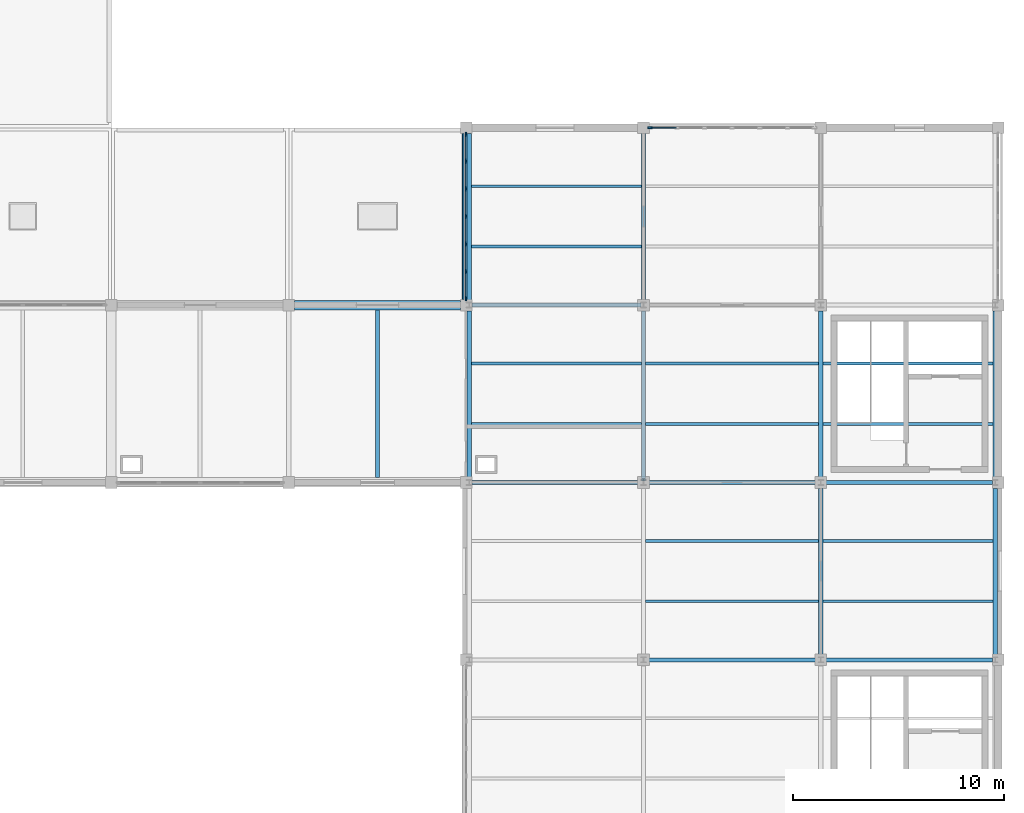
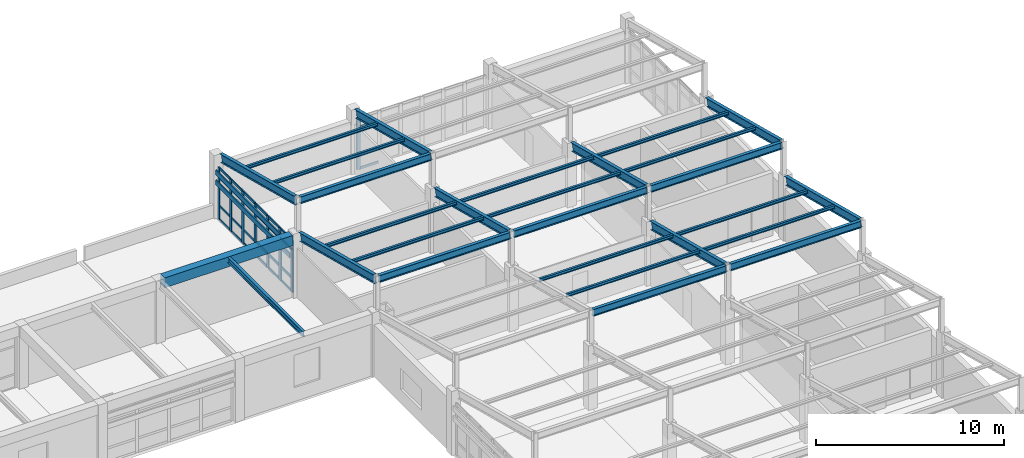
# One storey, part 42 of 74: 49 members, 16 beams, 2 elements without a shape of their own.
"""IFC4 building model written with IfcOpenShell, lengths in metres."""

from ifc_helpers import new_model, si_unit, direction, frame, origin, origin_2d, place, context, subcontext, project, spatial, rectangle, i_section, extrude, material, layer, layer_set, material_profile, profile_set, type_object, element, aggregate, save


model = new_model("IFC4")

# Units and contexts
model_context = context("Model", 3, precision=1e-05, world=origin(), true_north=direction((0.0, 1.0)))
body_context = subcontext(model_context, "Body", "Model", "MODEL_VIEW")
ifc_project = project(units=[si_unit("LENGTHUNIT", "METRE"), si_unit("AREAUNIT", "SQUARE_METRE"), si_unit("VOLUMEUNIT", "CUBIC_METRE"), si_unit("PLANEANGLEUNIT", "RADIAN"), si_unit("MASSUNIT", "GRAM", prefix="KILO")], contexts=[model_context])

# Site, building, storey
site_placement = place(None, origin())
site = spatial("IfcSite", under=ifc_project, at=site_placement, CompositionType="ELEMENT")
building_placement = place(site_placement, origin())
building = spatial("IfcBuilding", under=site, at=building_placement, Name="Porcellanite Civic Hall", CompositionType="ELEMENT")
storey_placement = place(building_placement, frame((0.0, 0.0, 14.760009765625)))
storey = spatial("IfcBuildingStorey", under=building, at=storey_placement, Name="L03", CompositionType="ELEMENT", Elevation=14.760009765625)

# Beam
ifc_material_1 = material(Name="Concrete N50 (50 MPa)", Category="concrete")
ifc_material_profile_1 = material_profile(ifc_material_1, rectangle(XDim=0.449951171875, YDim=0.64990234375, at=origin_2d()), Name="RC-450x650")
ifc_profile_set_1 = profile_set([ifc_material_profile_1], Name="Concrete N50 (50 MPa)")
beam_type_1 = type_object("IfcBeamType", Name="BM-RC650", PredefinedType="SPANDREL", material=ifc_profile_set_1)
beam_1_placement = place(storey_placement, frame((134.674560546875, 58.800048828125, 3.744873046875), z_axis=(1.0, 0.0, 0.0), x_axis=(0.0, 1.0, 0.0)))
element("IfcBeam", 1, at=beam_1_placement, inside=storey, type_object=beam_type_1, Name="Beam X L03 17-8", PredefinedType="SPANDREL", context=body_context, shape_type="SweptSolid", body=[
    extrude(rectangle(XDim=0.449951171875, YDim=0.64990234375, at=origin_2d()), origin(), (0.0, 0.0, 1.0), 7.850830078125),
])

# Curtain wall, members
ifc_material_2 = material(Name="Anodised aluminium and solar laminated glass", Category="aluminium")
ifc_layer = layer(ifc_material_2, 0.179931640625)
ifc_layer_set = layer_set([ifc_layer], Name="Anodised aluminium and solar laminated glass")
curtain_wall_type = type_object("IfcCurtainWallType", Name="CW-SYS02", PredefinedType="NOTDEFINED", material=ifc_layer_set)
curtain_wall_1_placement = place(storey_placement, origin())
curtain_wall_1 = element("IfcCurtainWall", 2, at=curtain_wall_1_placement, inside=storey, type_object=curtain_wall_type, Name="Curtain wall CW-223", PredefinedType="NOTDEFINED")
ifc_material_3 = material(Name="Anodised aluminium 6063-T6", Category="aluminium")
ifc_material_profile_2 = material_profile(ifc_material_3, rectangle(XDim=0.074951171875, YDim=0.219970703125, at=origin_2d()), Name="AL-75x220")
ifc_profile_set_2 = profile_set([ifc_material_profile_2], Name="Anodised aluminium 6063-T6")
member_type_1 = type_object("IfcMemberType", Name="CWM-03", PredefinedType="MULLION", material=ifc_profile_set_2)
member_1_placement = place(storey_placement, frame((142.800048828125, 59.113525390625, 0.0), z_axis=(0.0, 0.0, 1.0), x_axis=(-1.0, 0.0, 0.0)))
member_1 = element("IfcMember", 3, at=member_1_placement, type_object=member_type_1, Name="CW-223 mullion 1", PredefinedType="MULLION", context=body_context, shape_type="SweptSolid", body=[
    extrude(rectangle(XDim=0.074951171875, YDim=0.219970703125, at=origin_2d()), origin(), (0.0, 0.0, 1.0), 3.369873046875),
])
member_2_placement = place(storey_placement, frame((142.800048828125, 60.384033203125, 0.0), z_axis=(0.0, 0.0, 1.0), x_axis=(-1.0, 0.0, 0.0)))
member_2 = element("IfcMember", 4, at=member_2_placement, type_object=member_type_1, Name="CW-223 mullion 2", PredefinedType="MULLION", context=body_context, shape_type="SweptSolid", body=[
    extrude(rectangle(XDim=0.074951171875, YDim=0.219970703125, at=origin_2d()), origin(), (0.0, 0.0, 1.0), 3.369873046875),
])
member_3_placement = place(storey_placement, frame((142.800048828125, 61.69189453125, 0.0), z_axis=(0.0, 0.0, 1.0), x_axis=(-1.0, 0.0, 0.0)))
member_3 = element("IfcMember", 5, at=member_3_placement, type_object=member_type_1, Name="CW-223 mullion 3", PredefinedType="MULLION", context=body_context, shape_type="SweptSolid", body=[
    extrude(rectangle(XDim=0.074951171875, YDim=0.219970703125, at=origin_2d()), origin(), (0.0, 0.0, 1.0), 3.369873046875),
])
member_4_placement = place(storey_placement, frame((142.800048828125, 63.0, 0.0), z_axis=(0.0, 0.0, 1.0), x_axis=(-1.0, 0.0, 0.0)))
member_4 = element("IfcMember", 6, at=member_4_placement, type_object=member_type_1, Name="CW-223 mullion 4", PredefinedType="MULLION", context=body_context, shape_type="SweptSolid", body=[
    extrude(rectangle(XDim=0.074951171875, YDim=0.219970703125, at=origin_2d()), origin(), (0.0, 0.0, 1.0), 3.369873046875),
])
member_5_placement = place(storey_placement, frame((142.800048828125, 64.30810546875, 0.0), z_axis=(0.0, 0.0, 1.0), x_axis=(-1.0, 0.0, 0.0)))
member_5 = element("IfcMember", 7, at=member_5_placement, type_object=member_type_1, Name="CW-223 mullion 5", PredefinedType="MULLION", context=body_context, shape_type="SweptSolid", body=[
    extrude(rectangle(XDim=0.074951171875, YDim=0.219970703125, at=origin_2d()), origin(), (0.0, 0.0, 1.0), 3.369873046875),
])
member_6_placement = place(storey_placement, frame((142.800048828125, 65.615966796875, 0.0), z_axis=(0.0, 0.0, 1.0), x_axis=(-1.0, 0.0, 0.0)))
member_6 = element("IfcMember", 8, at=member_6_placement, type_object=member_type_1, Name="CW-223 mullion 6", PredefinedType="MULLION", context=body_context, shape_type="SweptSolid", body=[
    extrude(rectangle(XDim=0.074951171875, YDim=0.219970703125, at=origin_2d()), origin(), (0.0, 0.0, 1.0), 3.369873046875),
])
member_7_placement = place(storey_placement, frame((142.800048828125, 66.886474609375, 0.0), z_axis=(0.0, 0.0, 1.0), x_axis=(-1.0, 0.0, 0.0)))
member_7 = element("IfcMember", 9, at=member_7_placement, type_object=member_type_1, Name="CW-223 mullion 7", PredefinedType="MULLION", context=body_context, shape_type="SweptSolid", body=[
    extrude(rectangle(XDim=0.074951171875, YDim=0.219970703125, at=origin_2d()), origin(), (0.0, 0.0, 1.0), 3.369873046875),
])

# Curtain wall, member
curtain_wall_2_placement = place(storey_placement, origin())
curtain_wall_2 = element("IfcCurtainWall", 10, at=curtain_wall_2_placement, inside=storey, type_object=curtain_wall_type, Name="Curtain wall CW-227", PredefinedType="NOTDEFINED")
member_8_placement = place(storey_placement, frame((151.513427734375, 67.199951171875, 0.0), z_axis=(0.0, 0.0, 1.0), x_axis=(0.0, 1.0, 0.0)))
member_8 = element("IfcMember", 11, at=member_8_placement, type_object=member_type_1, Name="CW-227 mullion 1", PredefinedType="MULLION", context=body_context, shape_type="SweptSolid", body=[
    extrude(rectangle(XDim=0.074951171875, YDim=0.219970703125, at=origin_2d()), origin(), (0.0, 0.0, 1.0), 3.369873046875),
])

# Member
ifc_material_4 = material(Name="Anodised aluminium 6063-T6", Category="aluminium")
ifc_material_profile_3 = material_profile(ifc_material_4, rectangle(XDim=0.06494140625, YDim=0.14990234375, at=origin_2d()), Name="AL-65x150")
ifc_profile_set_3 = profile_set([ifc_material_profile_3], Name="Anodised aluminium 6063-T6")
member_type_2 = type_object("IfcMemberType", Name="CWT-02", PredefinedType="USERDEFINED", material=ifc_profile_set_3)
member_9_placement = place(storey_placement, frame((142.800048828125, 59.15087890625, 0.032470703125), z_axis=(0.0, 1.0, 0.0), x_axis=(-1.0, 0.0, 0.0)))
member_9 = element("IfcMember", 12, at=member_9_placement, type_object=member_type_2, Name="CW-223 transom 1.1", ObjectType="TRANSOM", PredefinedType="USERDEFINED", context=body_context, shape_type="SweptSolid", body=[
    extrude(rectangle(XDim=0.06494140625, YDim=0.14990234375, at=origin_2d()), origin(), (0.0, 0.0, 1.0), 1.195556640625),
])

member_10_placement = place(storey_placement, frame((142.800048828125, 59.15087890625, 0.89990234375), z_axis=(0.0, 1.0, 0.0), x_axis=(-1.0, 0.0, 0.0)))
member_10 = element("IfcMember", 13, at=member_10_placement, type_object=member_type_2, Name="CW-223 transom 1.2", ObjectType="TRANSOM", PredefinedType="USERDEFINED", context=body_context, shape_type="SweptSolid", body=[
    extrude(rectangle(XDim=0.06494140625, YDim=0.14990234375, at=origin_2d()), origin(), (0.0, 0.0, 1.0), 1.195556640625),
])

member_11_placement = place(storey_placement, frame((142.800048828125, 59.15087890625, 2.719970703125), z_axis=(0.0, 1.0, 0.0), x_axis=(-1.0, 0.0, 0.0)))
member_11 = element("IfcMember", 14, at=member_11_placement, type_object=member_type_2, Name="CW-223 transom 1.3", ObjectType="TRANSOM", PredefinedType="USERDEFINED", context=body_context, shape_type="SweptSolid", body=[
    extrude(rectangle(XDim=0.06494140625, YDim=0.14990234375, at=origin_2d()), origin(), (0.0, 0.0, 1.0), 1.195556640625),
])

member_12_placement = place(storey_placement, frame((142.800048828125, 59.15087890625, 3.33740234375), z_axis=(0.0, 1.0, 0.0), x_axis=(-1.0, 0.0, 0.0)))
member_12 = element("IfcMember", 15, at=member_12_placement, type_object=member_type_2, Name="CW-223 transom 1.4", ObjectType="TRANSOM", PredefinedType="USERDEFINED", context=body_context, shape_type="SweptSolid", body=[
    extrude(rectangle(XDim=0.06494140625, YDim=0.14990234375, at=origin_2d()), origin(), (0.0, 0.0, 1.0), 1.195556640625),
])

member_13_placement = place(storey_placement, frame((142.800048828125, 60.42138671875, 0.032470703125), z_axis=(0.0, 1.0, 0.0), x_axis=(-1.0, 0.0, 0.0)))
member_13 = element("IfcMember", 16, at=member_13_placement, type_object=member_type_2, Name="CW-223 transom 2.1", ObjectType="TRANSOM", PredefinedType="USERDEFINED", context=body_context, shape_type="SweptSolid", body=[
    extrude(rectangle(XDim=0.06494140625, YDim=0.14990234375, at=origin_2d()), origin(), (0.0, 0.0, 1.0), 1.233154296875),
])

member_14_placement = place(storey_placement, frame((142.800048828125, 60.42138671875, 0.89990234375), z_axis=(0.0, 1.0, 0.0), x_axis=(-1.0, 0.0, 0.0)))
member_14 = element("IfcMember", 17, at=member_14_placement, type_object=member_type_2, Name="CW-223 transom 2.2", ObjectType="TRANSOM", PredefinedType="USERDEFINED", context=body_context, shape_type="SweptSolid", body=[
    extrude(rectangle(XDim=0.06494140625, YDim=0.14990234375, at=origin_2d()), origin(), (0.0, 0.0, 1.0), 1.233154296875),
])

member_15_placement = place(storey_placement, frame((142.800048828125, 60.42138671875, 2.719970703125), z_axis=(0.0, 1.0, 0.0), x_axis=(-1.0, 0.0, 0.0)))
member_15 = element("IfcMember", 18, at=member_15_placement, type_object=member_type_2, Name="CW-223 transom 2.3", ObjectType="TRANSOM", PredefinedType="USERDEFINED", context=body_context, shape_type="SweptSolid", body=[
    extrude(rectangle(XDim=0.06494140625, YDim=0.14990234375, at=origin_2d()), origin(), (0.0, 0.0, 1.0), 1.233154296875),
])

member_16_placement = place(storey_placement, frame((142.800048828125, 60.42138671875, 3.33740234375), z_axis=(0.0, 1.0, 0.0), x_axis=(-1.0, 0.0, 0.0)))
member_16 = element("IfcMember", 19, at=member_16_placement, type_object=member_type_2, Name="CW-223 transom 2.4", ObjectType="TRANSOM", PredefinedType="USERDEFINED", context=body_context, shape_type="SweptSolid", body=[
    extrude(rectangle(XDim=0.06494140625, YDim=0.14990234375, at=origin_2d()), origin(), (0.0, 0.0, 1.0), 1.233154296875),
])

member_17_placement = place(storey_placement, frame((142.800048828125, 61.7294921875, 0.032470703125), z_axis=(0.0, 1.0, 0.0), x_axis=(-1.0, 0.0, 0.0)))
member_17 = element("IfcMember", 20, at=member_17_placement, type_object=member_type_2, Name="CW-223 transom 3.1", ObjectType="TRANSOM", PredefinedType="USERDEFINED", context=body_context, shape_type="SweptSolid", body=[
    extrude(rectangle(XDim=0.06494140625, YDim=0.14990234375, at=origin_2d()), origin(), (0.0, 0.0, 1.0), 1.23291015625),
])

member_18_placement = place(storey_placement, frame((142.800048828125, 61.7294921875, 0.89990234375), z_axis=(0.0, 1.0, 0.0), x_axis=(-1.0, 0.0, 0.0)))
member_18 = element("IfcMember", 21, at=member_18_placement, type_object=member_type_2, Name="CW-223 transom 3.2", ObjectType="TRANSOM", PredefinedType="USERDEFINED", context=body_context, shape_type="SweptSolid", body=[
    extrude(rectangle(XDim=0.06494140625, YDim=0.14990234375, at=origin_2d()), origin(), (0.0, 0.0, 1.0), 1.23291015625),
])

member_19_placement = place(storey_placement, frame((142.800048828125, 61.7294921875, 2.719970703125), z_axis=(0.0, 1.0, 0.0), x_axis=(-1.0, 0.0, 0.0)))
member_19 = element("IfcMember", 22, at=member_19_placement, type_object=member_type_2, Name="CW-223 transom 3.3", ObjectType="TRANSOM", PredefinedType="USERDEFINED", context=body_context, shape_type="SweptSolid", body=[
    extrude(rectangle(XDim=0.06494140625, YDim=0.14990234375, at=origin_2d()), origin(), (0.0, 0.0, 1.0), 1.23291015625),
])

member_20_placement = place(storey_placement, frame((142.800048828125, 61.7294921875, 3.33740234375), z_axis=(0.0, 1.0, 0.0), x_axis=(-1.0, 0.0, 0.0)))
member_20 = element("IfcMember", 23, at=member_20_placement, type_object=member_type_2, Name="CW-223 transom 3.4", ObjectType="TRANSOM", PredefinedType="USERDEFINED", context=body_context, shape_type="SweptSolid", body=[
    extrude(rectangle(XDim=0.06494140625, YDim=0.14990234375, at=origin_2d()), origin(), (0.0, 0.0, 1.0), 1.23291015625),
])

member_21_placement = place(storey_placement, frame((142.800048828125, 63.03759765625, 0.032470703125), z_axis=(0.0, 1.0, 0.0), x_axis=(-1.0, 0.0, 0.0)))
member_21 = element("IfcMember", 24, at=member_21_placement, type_object=member_type_2, Name="CW-223 transom 4.1", ObjectType="TRANSOM", PredefinedType="USERDEFINED", context=body_context, shape_type="SweptSolid", body=[
    extrude(rectangle(XDim=0.06494140625, YDim=0.14990234375, at=origin_2d()), origin(), (0.0, 0.0, 1.0), 1.23291015625),
])

member_22_placement = place(storey_placement, frame((142.800048828125, 63.03759765625, 0.89990234375), z_axis=(0.0, 1.0, 0.0), x_axis=(-1.0, 0.0, 0.0)))
member_22 = element("IfcMember", 25, at=member_22_placement, type_object=member_type_2, Name="CW-223 transom 4.2", ObjectType="TRANSOM", PredefinedType="USERDEFINED", context=body_context, shape_type="SweptSolid", body=[
    extrude(rectangle(XDim=0.06494140625, YDim=0.14990234375, at=origin_2d()), origin(), (0.0, 0.0, 1.0), 1.23291015625),
])

member_23_placement = place(storey_placement, frame((142.800048828125, 63.03759765625, 2.719970703125), z_axis=(0.0, 1.0, 0.0), x_axis=(-1.0, 0.0, 0.0)))
member_23 = element("IfcMember", 26, at=member_23_placement, type_object=member_type_2, Name="CW-223 transom 4.3", ObjectType="TRANSOM", PredefinedType="USERDEFINED", context=body_context, shape_type="SweptSolid", body=[
    extrude(rectangle(XDim=0.06494140625, YDim=0.14990234375, at=origin_2d()), origin(), (0.0, 0.0, 1.0), 1.23291015625),
])

member_24_placement = place(storey_placement, frame((142.800048828125, 63.03759765625, 3.33740234375), z_axis=(0.0, 1.0, 0.0), x_axis=(-1.0, 0.0, 0.0)))
member_24 = element("IfcMember", 27, at=member_24_placement, type_object=member_type_2, Name="CW-223 transom 4.4", ObjectType="TRANSOM", PredefinedType="USERDEFINED", context=body_context, shape_type="SweptSolid", body=[
    extrude(rectangle(XDim=0.06494140625, YDim=0.14990234375, at=origin_2d()), origin(), (0.0, 0.0, 1.0), 1.23291015625),
])

member_25_placement = place(storey_placement, frame((142.800048828125, 64.345458984375, 0.032470703125), z_axis=(0.0, 1.0, 0.0), x_axis=(-1.0, 0.0, 0.0)))
member_25 = element("IfcMember", 28, at=member_25_placement, type_object=member_type_2, Name="CW-223 transom 5.1", ObjectType="TRANSOM", PredefinedType="USERDEFINED", context=body_context, shape_type="SweptSolid", body=[
    extrude(rectangle(XDim=0.06494140625, YDim=0.14990234375, at=origin_2d()), origin(), (0.0, 0.0, 1.0), 1.233154296875),
])

member_26_placement = place(storey_placement, frame((142.800048828125, 64.345458984375, 0.89990234375), z_axis=(0.0, 1.0, 0.0), x_axis=(-1.0, 0.0, 0.0)))
member_26 = element("IfcMember", 29, at=member_26_placement, type_object=member_type_2, Name="CW-223 transom 5.2", ObjectType="TRANSOM", PredefinedType="USERDEFINED", context=body_context, shape_type="SweptSolid", body=[
    extrude(rectangle(XDim=0.06494140625, YDim=0.14990234375, at=origin_2d()), origin(), (0.0, 0.0, 1.0), 1.233154296875),
])

member_27_placement = place(storey_placement, frame((142.800048828125, 64.345458984375, 2.719970703125), z_axis=(0.0, 1.0, 0.0), x_axis=(-1.0, 0.0, 0.0)))
member_27 = element("IfcMember", 30, at=member_27_placement, type_object=member_type_2, Name="CW-223 transom 5.3", ObjectType="TRANSOM", PredefinedType="USERDEFINED", context=body_context, shape_type="SweptSolid", body=[
    extrude(rectangle(XDim=0.06494140625, YDim=0.14990234375, at=origin_2d()), origin(), (0.0, 0.0, 1.0), 1.233154296875),
])

member_28_placement = place(storey_placement, frame((142.800048828125, 64.345458984375, 3.33740234375), z_axis=(0.0, 1.0, 0.0), x_axis=(-1.0, 0.0, 0.0)))
member_28 = element("IfcMember", 31, at=member_28_placement, type_object=member_type_2, Name="CW-223 transom 5.4", ObjectType="TRANSOM", PredefinedType="USERDEFINED", context=body_context, shape_type="SweptSolid", body=[
    extrude(rectangle(XDim=0.06494140625, YDim=0.14990234375, at=origin_2d()), origin(), (0.0, 0.0, 1.0), 1.233154296875),
])

member_29_placement = place(storey_placement, frame((142.800048828125, 65.653564453125, 0.032470703125), z_axis=(0.0, 1.0, 0.0), x_axis=(-1.0, 0.0, 0.0)))
member_29 = element("IfcMember", 32, at=member_29_placement, type_object=member_type_2, Name="CW-223 transom 6.1", ObjectType="TRANSOM", PredefinedType="USERDEFINED", context=body_context, shape_type="SweptSolid", body=[
    extrude(rectangle(XDim=0.06494140625, YDim=0.14990234375, at=origin_2d()), origin(), (0.0, 0.0, 1.0), 1.195556640625),
])

member_30_placement = place(storey_placement, frame((142.800048828125, 65.653564453125, 0.89990234375), z_axis=(0.0, 1.0, 0.0), x_axis=(-1.0, 0.0, 0.0)))
member_30 = element("IfcMember", 33, at=member_30_placement, type_object=member_type_2, Name="CW-223 transom 6.2", ObjectType="TRANSOM", PredefinedType="USERDEFINED", context=body_context, shape_type="SweptSolid", body=[
    extrude(rectangle(XDim=0.06494140625, YDim=0.14990234375, at=origin_2d()), origin(), (0.0, 0.0, 1.0), 1.195556640625),
])

member_31_placement = place(storey_placement, frame((142.800048828125, 65.653564453125, 2.719970703125), z_axis=(0.0, 1.0, 0.0), x_axis=(-1.0, 0.0, 0.0)))
member_31 = element("IfcMember", 34, at=member_31_placement, type_object=member_type_2, Name="CW-223 transom 6.3", ObjectType="TRANSOM", PredefinedType="USERDEFINED", context=body_context, shape_type="SweptSolid", body=[
    extrude(rectangle(XDim=0.06494140625, YDim=0.14990234375, at=origin_2d()), origin(), (0.0, 0.0, 1.0), 1.195556640625),
])

member_32_placement = place(storey_placement, frame((142.800048828125, 65.653564453125, 3.33740234375), z_axis=(0.0, 1.0, 0.0), x_axis=(-1.0, 0.0, 0.0)))
member_32 = element("IfcMember", 35, at=member_32_placement, type_object=member_type_2, Name="CW-223 transom 6.4", ObjectType="TRANSOM", PredefinedType="USERDEFINED", context=body_context, shape_type="SweptSolid", body=[
    extrude(rectangle(XDim=0.06494140625, YDim=0.14990234375, at=origin_2d()), origin(), (0.0, 0.0, 1.0), 1.195556640625),
])

aggregate(curtain_wall_1, [member_1, member_2, member_3, member_4, member_5, member_6, member_7, member_9, member_10, member_11, member_12, member_13, member_14, member_15, member_16, member_17, member_18, member_19, member_20, member_21, member_22, member_23, member_24, member_25, member_26, member_27, member_28, member_29, member_30, member_31, member_32])

member_33_placement = place(storey_placement, frame((151.551025390625, 67.199951171875, 0.032470703125), z_axis=(1.0, 0.0, 0.0), x_axis=(0.0, 1.0, 0.0)))
member_33 = element("IfcMember", 36, at=member_33_placement, type_object=member_type_2, Name="CW-227 transom 1.1", ObjectType="TRANSOM", PredefinedType="USERDEFINED", context=body_context, shape_type="SweptSolid", body=[
    extrude(rectangle(XDim=0.06494140625, YDim=0.14990234375, at=origin_2d()), origin(), (0.0, 0.0, 1.0), 1.195556640625),
])

member_34_placement = place(storey_placement, frame((151.551025390625, 67.199951171875, 0.89990234375), z_axis=(1.0, 0.0, 0.0), x_axis=(0.0, 1.0, 0.0)))
member_34 = element("IfcMember", 37, at=member_34_placement, type_object=member_type_2, Name="CW-227 transom 1.2", ObjectType="TRANSOM", PredefinedType="USERDEFINED", context=body_context, shape_type="SweptSolid", body=[
    extrude(rectangle(XDim=0.06494140625, YDim=0.14990234375, at=origin_2d()), origin(), (0.0, 0.0, 1.0), 1.195556640625),
])

member_35_placement = place(storey_placement, frame((151.551025390625, 67.199951171875, 2.719970703125), z_axis=(1.0, 0.0, 0.0), x_axis=(0.0, 1.0, 0.0)))
member_35 = element("IfcMember", 38, at=member_35_placement, type_object=member_type_2, Name="CW-227 transom 1.3", ObjectType="TRANSOM", PredefinedType="USERDEFINED", context=body_context, shape_type="SweptSolid", body=[
    extrude(rectangle(XDim=0.06494140625, YDim=0.14990234375, at=origin_2d()), origin(), (0.0, 0.0, 1.0), 1.195556640625),
])

aggregate(curtain_wall_2, [member_8, member_33, member_34, member_35])

# Beam
ifc_material_5 = material(Name="Steel Grade 350", Category="steel")
ifc_material_profile_4 = material_profile(ifc_material_5, i_section(OverallWidth=0.172119140625, OverallDepth=0.35888671875, WebThickness=0.008056640625, FlangeThickness=0.012939453125, FilletRadius=0.011474609375, at=origin_2d()), Name="360UB56.7")
ifc_profile_set_4 = profile_set([ifc_material_profile_4], Name="Steel Grade 350")
beam_type_2 = type_object("IfcBeamType", Name="JST-360UB57", PredefinedType="JOIST", material=ifc_profile_set_4)
beam_2_placement = place(storey_placement, frame((138.60009765625, 50.62451171875, 3.890380859375), z_axis=(0.0, 1.0, 0.0), x_axis=(-1.0, 0.0, 0.0)))
element("IfcBeam", 39, at=beam_2_placement, inside=storey, type_object=beam_type_2, Name="Secondary joist L03 17-7", PredefinedType="JOIST", context=body_context, shape_type="SweptSolid", body=[
    extrude(i_section(OverallWidth=0.172119140625, OverallDepth=0.35888671875, WebThickness=0.008056640625, FlangeThickness=0.012939453125, FilletRadius=0.011474609375, at=origin_2d()), origin(), (0.0, 0.0, 1.0), 7.950927734375),
])

# Members
ifc_material_6 = material(Name="Fluoropolymer bauxite-red aluminium 6063-T6", Category="aluminium")
ifc_material_profile_5 = material_profile(ifc_material_6, rectangle(XDim=0.080078125, YDim=0.320068359375, at=origin_2d()), Name="AL-80x320")
ifc_profile_set_5 = profile_set([ifc_material_profile_5], Name="Fluoropolymer bauxite-red aluminium 6063-T6")
member_type_3 = type_object("IfcMemberType", Name="LV-BLD03", PredefinedType="USERDEFINED", material=ifc_profile_set_5)
for number, where, z_axis, x_axis, name in (
    (40, (142.64794921875, 59.074462890625, 3.070068359375), (0.0, 1.0, 0.0), (-1.0, 0.0, 0.0), "Cyclone sunshade louvre L03 W 17-7 1"),
    (41, (142.64794921875, 59.074462890625, 2.419921875), (0.0, 1.0, 0.0), (-1.0, 0.0, 0.0), "Cyclone sunshade louvre L03 W 17-7 2"),
):
    element("IfcMember", number, at=place(storey_placement, frame(where, z_axis=z_axis, x_axis=x_axis)), inside=storey, type_object=member_type_3, Name=name, ObjectType="LOUVRE BLADE", PredefinedType="USERDEFINED", context=body_context, shape_type="SweptSolid", body=[
        extrude(rectangle(XDim=0.080078125, YDim=0.320068359375, at=origin_2d()), origin(), (0.0, 0.0, 1.0), 7.85107421875),
    ])
ifc_material_7 = material(Name="Steel Grade 350", Category="steel")
ifc_material_profile_6 = material_profile(ifc_material_7, i_section(OverallWidth=0.133056640625, OverallDepth=0.202880859375, WebThickness=0.005859375, FlangeThickness=0.0078125, FilletRadius=0.0087890625, at=origin_2d()), Name="200UB25.4")
ifc_profile_set_6 = profile_set([ifc_material_profile_6], Name="Steel Grade 350")
member_type_4 = type_object("IfcMemberType", Name="PUR-200UB25", PredefinedType="PURLIN", material=ifc_profile_set_6)
for number, where, z_axis, x_axis, name in (
    (42, (151.304931640625, 44.77197265625, 5.492919921875), (1.0, 0.0, 0.0), (0.0, 1.0, 0.0), "Library sawtooth purlin 18-5"),
    (43, (151.304931640625, 47.6279296875, 4.75439453125), (1.0, 0.0, 0.0), (0.0, 1.0, 0.0), "Library sawtooth purlin 18-5"),
):
    element("IfcMember", number, at=place(storey_placement, frame(where, z_axis=z_axis, x_axis=x_axis)), inside=storey, type_object=member_type_4, Name=name, PredefinedType="PURLIN", context=body_context, shape_type="SweptSolid", body=[
        extrude(i_section(OverallWidth=0.133056640625, OverallDepth=0.202880859375, WebThickness=0.005859375, FlangeThickness=0.0078125, FilletRadius=0.0087890625, at=origin_2d()), origin(), (0.0, 0.0, 1.0), 8.190185546875),
    ])
for number, where, z_axis, x_axis, name in (
    (44, (159.705078125, 44.77197265625, 5.492919921875), (1.0, 0.0, 0.0), (0.0, 1.0, 0.0), "Library sawtooth purlin 19-5"),
    (45, (159.705078125, 47.6279296875, 4.75439453125), (1.0, 0.0, 0.0), (0.0, 1.0, 0.0), "Library sawtooth purlin 19-5"),
):
    element("IfcMember", number, at=place(storey_placement, frame(where, z_axis=z_axis, x_axis=x_axis)), inside=storey, type_object=member_type_4, Name=name, PredefinedType="PURLIN", context=body_context, shape_type="SweptSolid", body=[
        extrude(i_section(OverallWidth=0.133056640625, OverallDepth=0.202880859375, WebThickness=0.005859375, FlangeThickness=0.0078125, FilletRadius=0.0087890625, at=origin_2d()), origin(), (0.0, 0.0, 1.0), 8.0498046875),
    ])
for number, where, z_axis, x_axis, name in (
    (46, (143.044921875, 53.172119140625, 5.492919921875), (1.0, 0.0, 0.0), (0.0, 1.0, 0.0), "Library sawtooth purlin 17-6"),
    (47, (143.044921875, 56.028076171875, 4.75439453125), (1.0, 0.0, 0.0), (0.0, 1.0, 0.0), "Library sawtooth purlin 17-6"),
):
    element("IfcMember", number, at=place(storey_placement, frame(where, z_axis=z_axis, x_axis=x_axis)), inside=storey, type_object=member_type_4, Name=name, PredefinedType="PURLIN", context=body_context, shape_type="SweptSolid", body=[
        extrude(i_section(OverallWidth=0.133056640625, OverallDepth=0.202880859375, WebThickness=0.005859375, FlangeThickness=0.0078125, FilletRadius=0.0087890625, at=origin_2d()), origin(), (0.0, 0.0, 1.0), 8.050048828125),
    ])
for number, where, z_axis, x_axis, name in (
    (48, (151.304931640625, 53.172119140625, 5.492919921875), (1.0, 0.0, 0.0), (0.0, 1.0, 0.0), "Library sawtooth purlin 18-6"),
    (49, (151.304931640625, 56.028076171875, 4.75439453125), (1.0, 0.0, 0.0), (0.0, 1.0, 0.0), "Library sawtooth purlin 18-6"),
):
    element("IfcMember", number, at=place(storey_placement, frame(where, z_axis=z_axis, x_axis=x_axis)), inside=storey, type_object=member_type_4, Name=name, PredefinedType="PURLIN", context=body_context, shape_type="SweptSolid", body=[
        extrude(i_section(OverallWidth=0.133056640625, OverallDepth=0.202880859375, WebThickness=0.005859375, FlangeThickness=0.0078125, FilletRadius=0.0087890625, at=origin_2d()), origin(), (0.0, 0.0, 1.0), 8.190185546875),
    ])
for number, where, z_axis, x_axis, name in (
    (50, (159.705078125, 53.172119140625, 5.492919921875), (1.0, 0.0, 0.0), (0.0, 1.0, 0.0), "Library sawtooth purlin 19-6"),
    (51, (159.705078125, 56.028076171875, 4.75439453125), (1.0, 0.0, 0.0), (0.0, 1.0, 0.0), "Library sawtooth purlin 19-6"),
):
    element("IfcMember", number, at=place(storey_placement, frame(where, z_axis=z_axis, x_axis=x_axis)), inside=storey, type_object=member_type_4, Name=name, PredefinedType="PURLIN", context=body_context, shape_type="SweptSolid", body=[
        extrude(i_section(OverallWidth=0.133056640625, OverallDepth=0.202880859375, WebThickness=0.005859375, FlangeThickness=0.0078125, FilletRadius=0.0087890625, at=origin_2d()), origin(), (0.0, 0.0, 1.0), 8.0498046875),
    ])
for number, where, z_axis, x_axis, name in (
    (52, (143.044921875, 61.572021484375, 5.492919921875), (1.0, 0.0, 0.0), (0.0, 1.0, 0.0), "Library sawtooth purlin 17-7"),
    (53, (143.044921875, 64.427978515625, 4.75439453125), (1.0, 0.0, 0.0), (0.0, 1.0, 0.0), "Library sawtooth purlin 17-7"),
):
    element("IfcMember", number, at=place(storey_placement, frame(where, z_axis=z_axis, x_axis=x_axis)), inside=storey, type_object=member_type_4, Name=name, PredefinedType="PURLIN", context=body_context, shape_type="SweptSolid", body=[
        extrude(i_section(OverallWidth=0.133056640625, OverallDepth=0.202880859375, WebThickness=0.005859375, FlangeThickness=0.0078125, FilletRadius=0.0087890625, at=origin_2d()), origin(), (0.0, 0.0, 1.0), 8.050048828125),
    ])

# Beams
ifc_material_8 = material(Name="Steel Grade 350", Category="steel")
ifc_material_profile_7 = material_profile(ifc_material_8, i_section(OverallWidth=0.18994140625, OverallDepth=0.4541015625, WebThickness=0.008544921875, FlangeThickness=0.0126953125, FilletRadius=0.011474609375, at=origin_2d()), Name="460UB67.1")
ifc_profile_set_7 = profile_set([ifc_material_profile_7], Name="Steel Grade 350")
beam_type_3 = type_object("IfcBeamType", Name="RAF-460UB67", PredefinedType="BEAM", material=ifc_profile_set_7)
beam_3_placement = place(storey_placement, frame((151.326416015625, 42.0, 6.069580078125), z_axis=(1.0, 0.0, 0.0), x_axis=(0.0, 1.0, 0.0)))
element("IfcBeam", 54, at=beam_3_placement, inside=storey, type_object=beam_type_3, Name="Library sawtooth ridge beam 18-5", PredefinedType="BEAM", context=body_context, shape_type="SweptSolid", body=[
    extrude(i_section(OverallWidth=0.18994140625, OverallDepth=0.4541015625, WebThickness=0.008544921875, FlangeThickness=0.0126953125, FilletRadius=0.011474609375, at=origin_2d()), origin(), (0.0, 0.0, 1.0), 8.14697265625),
])
beam_4_placement = place(storey_placement, frame((159.7265625, 42.0, 6.069580078125), z_axis=(1.0, 0.0, 0.0), x_axis=(0.0, 1.0, 0.0)))
element("IfcBeam", 55, at=beam_4_placement, inside=storey, type_object=beam_type_3, Name="Library sawtooth ridge beam 19-5", PredefinedType="BEAM", context=body_context, shape_type="SweptSolid", body=[
    extrude(i_section(OverallWidth=0.18994140625, OverallDepth=0.4541015625, WebThickness=0.008544921875, FlangeThickness=0.0126953125, FilletRadius=0.011474609375, at=origin_2d()), origin(), (0.0, 0.0, 1.0), 8.0068359375),
])
beam_5_placement = place(storey_placement, frame((143.06640625, 50.39990234375, 6.069580078125), z_axis=(1.0, 0.0, 0.0), x_axis=(0.0, 1.0, 0.0)))
element("IfcBeam", 56, at=beam_5_placement, inside=storey, type_object=beam_type_3, Name="Library sawtooth ridge beam 17-6", PredefinedType="BEAM", context=body_context, shape_type="SweptSolid", body=[
    extrude(i_section(OverallWidth=0.18994140625, OverallDepth=0.4541015625, WebThickness=0.008544921875, FlangeThickness=0.0126953125, FilletRadius=0.011474609375, at=origin_2d()), origin(), (0.0, 0.0, 1.0), 8.007080078125),
])
beam_6_placement = place(storey_placement, frame((151.326416015625, 50.39990234375, 6.069580078125), z_axis=(1.0, 0.0, 0.0), x_axis=(0.0, 1.0, 0.0)))
element("IfcBeam", 57, at=beam_6_placement, inside=storey, type_object=beam_type_3, Name="Library sawtooth ridge beam 18-6", PredefinedType="BEAM", context=body_context, shape_type="SweptSolid", body=[
    extrude(i_section(OverallWidth=0.18994140625, OverallDepth=0.4541015625, WebThickness=0.008544921875, FlangeThickness=0.0126953125, FilletRadius=0.011474609375, at=origin_2d()), origin(), (0.0, 0.0, 1.0), 8.14697265625),
])
beam_7_placement = place(storey_placement, frame((159.7265625, 50.39990234375, 6.069580078125), z_axis=(1.0, 0.0, 0.0), x_axis=(0.0, 1.0, 0.0)))
element("IfcBeam", 58, at=beam_7_placement, inside=storey, type_object=beam_type_3, Name="Library sawtooth ridge beam 19-6", PredefinedType="BEAM", context=body_context, shape_type="SweptSolid", body=[
    extrude(i_section(OverallWidth=0.18994140625, OverallDepth=0.4541015625, WebThickness=0.008544921875, FlangeThickness=0.0126953125, FilletRadius=0.011474609375, at=origin_2d()), origin(), (0.0, 0.0, 1.0), 8.0068359375),
])
beam_8_placement = place(storey_placement, frame((143.06640625, 58.800048828125, 6.069580078125), z_axis=(1.0, 0.0, 0.0), x_axis=(0.0, 1.0, 0.0)))
element("IfcBeam", 59, at=beam_8_placement, inside=storey, type_object=beam_type_3, Name="Library sawtooth ridge beam 17-7", PredefinedType="BEAM", context=body_context, shape_type="SweptSolid", body=[
    extrude(i_section(OverallWidth=0.18994140625, OverallDepth=0.4541015625, WebThickness=0.008544921875, FlangeThickness=0.0126953125, FilletRadius=0.011474609375, at=origin_2d()), origin(), (0.0, 0.0, 1.0), 8.007080078125),
])
ifc_material_9 = material(Name="Steel Grade 350", Category="steel")
ifc_material_profile_8 = material_profile(ifc_material_9, i_section(OverallWidth=0.208984375, OverallDepth=0.532958984375, WebThickness=0.01025390625, FlangeThickness=0.015625, FilletRadius=0.013916015625, at=origin_2d()), Name="530UB92.4")
ifc_profile_set_8 = profile_set([ifc_material_profile_8], Name="Steel Grade 350")
beam_type_4 = type_object("IfcBeamType", Name="RAF-530UB92", PredefinedType="BEAM", material=ifc_profile_set_8)
for number, where, z_axis, x_axis, name in (
    (60, (159.60009765625, 42.126953125, 6.003173828125), (0.0, 0.968147036294, -0.250382339864), (-1.0, 0.0, 0.0), "Library sawtooth rafter 19-5"),
    (61, (167.860107421875, 42.126953125, 6.003173828125), (0.0, 0.968147036294, -0.250382339864), (-1.0, 0.0, 0.0), "Library sawtooth rafter 20-5"),
):
    element("IfcBeam", number, at=place(storey_placement, frame(where, z_axis=z_axis, x_axis=x_axis)), inside=storey, type_object=beam_type_4, Name=name, PredefinedType="BEAM", context=body_context, shape_type="SweptSolid", body=[
        extrude(i_section(OverallWidth=0.208984375, OverallDepth=0.532958984375, WebThickness=0.01025390625, FlangeThickness=0.015625, FilletRadius=0.013916015625, at=origin_2d()), origin(), (0.0, 0.0, 1.0), 8.183837890625),
    ])
for number, where, z_axis, x_axis, name in (
    (62, (142.93994140625, 50.527099609375, 6.003173828125), (0.0, 0.968145165988, -0.250389571618), (-1.0, 0.0, 0.0), "Library sawtooth rafter 17-6"),
    (63, (151.199951171875, 50.527099609375, 6.003173828125), (0.0, 0.968145165988, -0.250389571618), (-1.0, 0.0, 0.0), "Library sawtooth rafter 18-6"),
    (64, (159.60009765625, 50.527099609375, 6.003173828125), (0.0, 0.968145165988, -0.250389571618), (-1.0, 0.0, 0.0), "Library sawtooth rafter 19-6"),
    (65, (167.860107421875, 50.527099609375, 6.003173828125), (0.0, 0.968145165988, -0.250389571618), (-1.0, 0.0, 0.0), "Library sawtooth rafter 20-6"),
):
    element("IfcBeam", number, at=place(storey_placement, frame(where, z_axis=z_axis, x_axis=x_axis)), inside=storey, type_object=beam_type_4, Name=name, PredefinedType="BEAM", context=body_context, shape_type="SweptSolid", body=[
        extrude(i_section(OverallWidth=0.208984375, OverallDepth=0.532958984375, WebThickness=0.01025390625, FlangeThickness=0.015625, FilletRadius=0.013916015625, at=origin_2d()), origin(), (0.0, 0.0, 1.0), 8.18359375),
    ])
for number, where, z_axis, x_axis, name in (
    (66, (142.93994140625, 58.927001953125, 6.003173828125), (0.0, 0.968147036294, -0.250382339864), (-1.0, 0.0, 0.0), "Library sawtooth rafter 17-7"),
    (67, (151.199951171875, 58.927001953125, 6.003173828125), (0.0, 0.968147036294, -0.250382339864), (-1.0, 0.0, 0.0), "Library sawtooth rafter 18-7"),
):
    element("IfcBeam", number, at=place(storey_placement, frame(where, z_axis=z_axis, x_axis=x_axis)), inside=storey, type_object=beam_type_4, Name=name, PredefinedType="BEAM", context=body_context, shape_type="SweptSolid", body=[
        extrude(i_section(OverallWidth=0.208984375, OverallDepth=0.532958984375, WebThickness=0.01025390625, FlangeThickness=0.015625, FilletRadius=0.013916015625, at=origin_2d()), origin(), (0.0, 0.0, 1.0), 8.183837890625),
    ])

save(model, "model.ifc")
